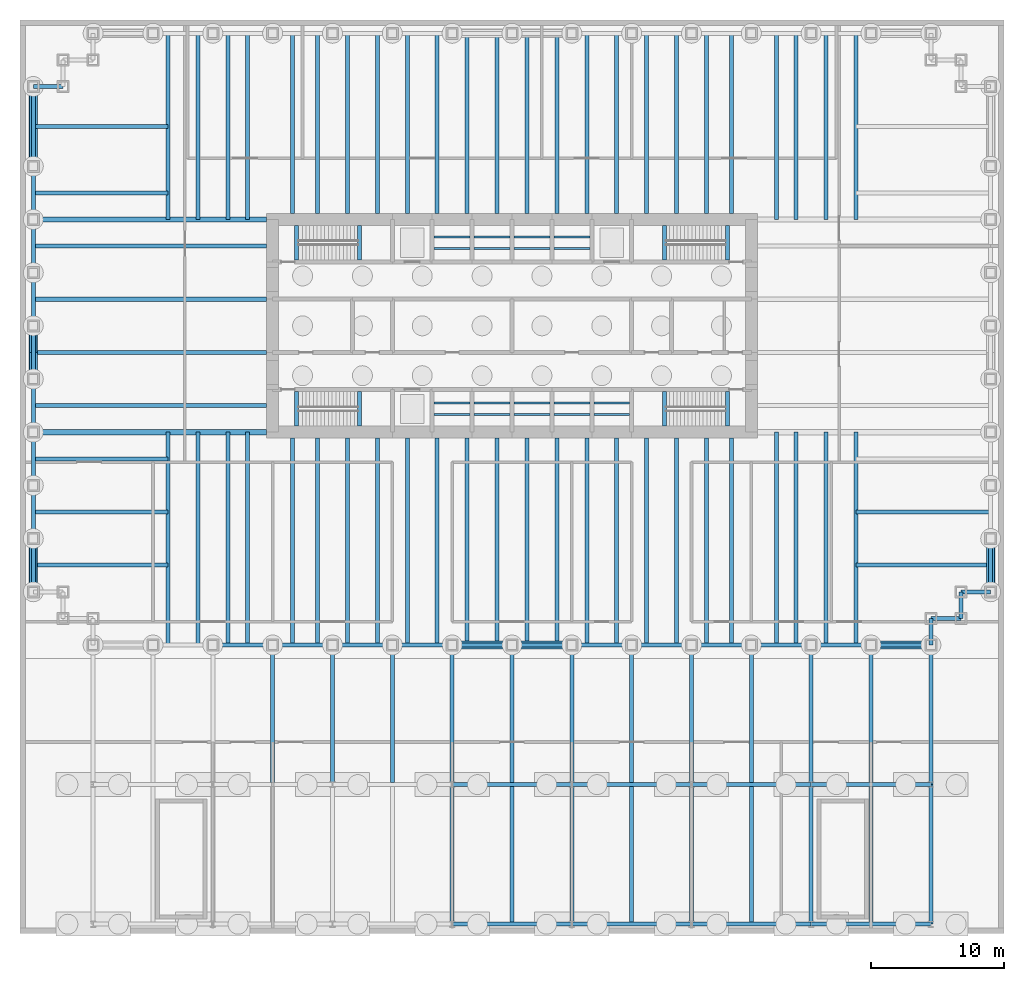
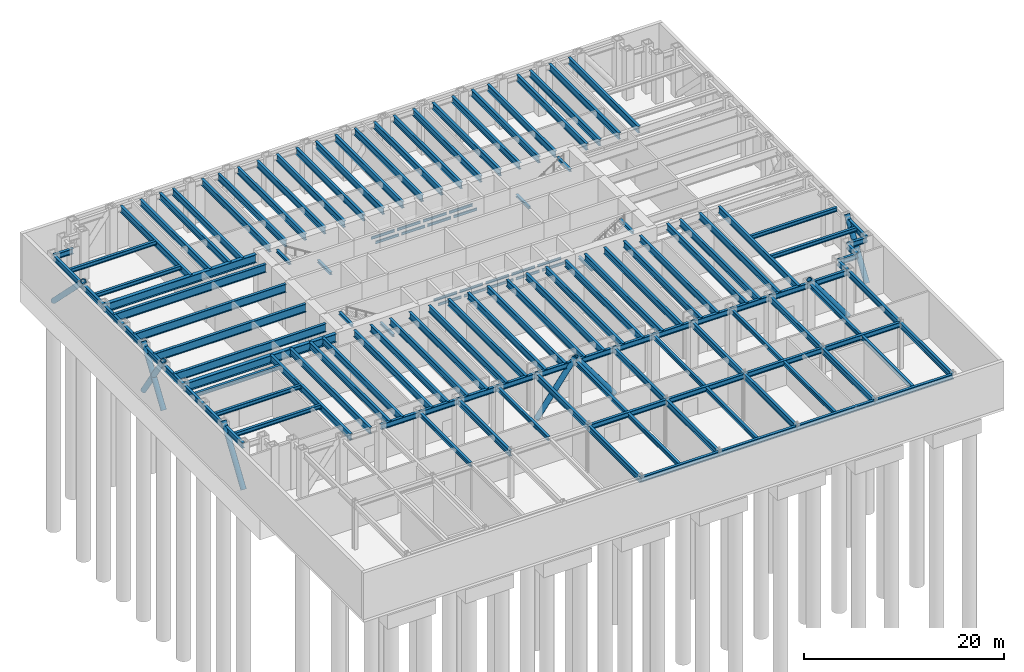
# One storey, part 2 of 9: 143 beams, 8 members.
"""IFC4 building model written with IfcOpenShell, lengths in metres."""

from ifc_helpers import new_model, si_unit, direction, frame, origin, origin_2d, place, context, subcontext, project, spatial, hollow_circle, i_section, extrude, material, material_profile, profile_set, type_object, element, save


model = new_model("IFC4")

# Units and contexts
model_context = context("Model", 3, precision=1e-05, world=origin(), true_north=direction((0.0, 1.0)))
body_context = subcontext(model_context, "Body", "Model", "MODEL_VIEW")
ifc_project = project(units=[si_unit("LENGTHUNIT", "METRE"), si_unit("AREAUNIT", "SQUARE_METRE"), si_unit("VOLUMEUNIT", "CUBIC_METRE"), si_unit("PLANEANGLEUNIT", "RADIAN"), si_unit("MASSUNIT", "GRAM", prefix="KILO")], contexts=[model_context])

# Site, building, storey
site_placement = place(None, origin())
site = spatial("IfcSite", under=ifc_project, at=site_placement, CompositionType="ELEMENT")
building_placement = place(site_placement, origin())
building = spatial("IfcBuilding", under=site, at=building_placement, Name="Rheinbord Bourse Tower", CompositionType="ELEMENT")
storey_placement = place(building_placement, frame((0.0, 0.0, -6.0)))
storey = spatial("IfcBuildingStorey", under=building, at=storey_placement, Name="B1", CompositionType="ELEMENT", Elevation=-6.0)

# Beams
ifc_material_1 = material(Name="Steel S460", Category="steel")
ifc_material_profile_1 = material_profile(ifc_material_1, i_section(OverallWidth=0.302001953125, OverallDepth=1.008056640625, WebThickness=0.02099609375, FlangeThickness=0.0400390625, at=origin_2d()), Name="HEM 1000")
ifc_profile_set_1 = profile_set([ifc_material_profile_1], Name="Steel S460")
beam_type_1 = type_object("IfcBeamType", Name="END BEAM HEM 1000", PredefinedType="BEAM", material=ifc_profile_set_1)
for number, where, z_axis, x_axis, name in (
    (1, (0.0, 18.0, 5.196044921875), (1.0, 0.0, 0.0), (0.0, 1.0, 0.0), "End beam west 18 L00"),
    (2, (0.0, 22.0, 5.196044921875), (1.0, 0.0, 0.0), (0.0, 1.0, 0.0), "End beam west 22 L00"),
    (3, (0.0, 26.0, 5.196044921875), (1.0, 0.0, 0.0), (0.0, 1.0, 0.0), "End beam west 26 L00"),
    (4, (0.0, 30.0, 5.196044921875), (1.0, 0.0, 0.0), (0.0, 1.0, 0.0), "End beam west 30 L00"),
):
    element("IfcBeam", number, at=place(storey_placement, frame(where, z_axis=z_axis, x_axis=x_axis)), inside=storey, type_object=beam_type_1, Name=name, PredefinedType="BEAM", context=body_context, shape_type="SweptSolid", body=[
        extrude(i_section(OverallWidth=0.302001953125, OverallDepth=1.008056640625, WebThickness=0.02099609375, FlangeThickness=0.0400390625, at=origin_2d()), origin(), (0.0, 0.0, 1.0), 17.550048828125),
    ])
ifc_material_2 = material(Name="Steel S460", Category="steel")
ifc_material_profile_2 = material_profile(ifc_material_2, i_section(OverallWidth=0.300048828125, OverallDepth=0.800048828125, WebThickness=0.017578125, FlangeThickness=0.032958984375, at=origin_2d()), Name="HEB 800")
ifc_profile_set_2 = profile_set([ifc_material_profile_2], Name="Steel S460")
beam_type_2 = type_object("IfcBeamType", Name="FLOOR BEAM HEB 800", PredefinedType="BEAM", material=ifc_profile_set_2)
for number, where, z_axis, x_axis, name in (
    (5, (10.125, 0.0, 5.300048828125), (0.0, 1.0, 0.0), (-1.0, 0.0, 0.0), "Floor beam S-9a L00"),
    (6, (12.375, 0.0, 5.300048828125), (0.0, 1.0, 0.0), (-1.0, 0.0, 0.0), "Floor beam S-9b L00"),
    (7, (14.625, 0.0, 5.300048828125), (0.0, 1.0, 0.0), (-1.0, 0.0, 0.0), "Floor beam S-13.5a L00"),
    (8, (16.125, 0.0, 5.300048828125), (0.0, 1.0, 0.0), (-1.0, 0.0, 0.0), "Floor beam S-13.5b L00"),
):
    element("IfcBeam", number, at=place(storey_placement, frame(where, z_axis=z_axis, x_axis=x_axis)), inside=storey, type_object=beam_type_2, Name=name, PredefinedType="BEAM", context=body_context, shape_type="SweptSolid", body=[
        extrude(i_section(OverallWidth=0.300048828125, OverallDepth=0.800048828125, WebThickness=0.017578125, FlangeThickness=0.032958984375, at=origin_2d()), origin(), (0.0, 0.0, 1.0), 16.0),
    ])
for number, where, z_axis, x_axis, name in (
    (9, (19.5, 0.0, 5.300048828125), (0.0, 1.0, 0.0), (-1.0, 0.0, 0.0), "Floor beam S-18a L00"),
    (10, (21.375, 0.0, 5.300048828125), (0.0, 1.0, 0.0), (-1.0, 0.0, 0.0), "Floor beam S-18b L00"),
    (11, (23.625, 0.0, 5.300048828125), (0.0, 1.0, 0.0), (-1.0, 0.0, 0.0), "Floor beam S-22.5a L00"),
    (12, (25.875, 0.0, 5.300048828125), (0.0, 1.0, 0.0), (-1.0, 0.0, 0.0), "Floor beam S-22.5b L00"),
    (13, (28.125, 0.0, 5.300048828125), (0.0, 1.0, 0.0), (-1.0, 0.0, 0.0), "Floor beam S-27a L00"),
    (14, (30.375, 0.0, 5.300048828125), (0.0, 1.0, 0.0), (-1.0, 0.0, 0.0), "Floor beam S-27b L00"),
    (15, (32.625, 0.0, 5.300048828125), (0.0, 1.0, 0.0), (-1.0, 0.0, 0.0), "Floor beam S-31.5a L00"),
    (16, (34.875, 0.0, 5.300048828125), (0.0, 1.0, 0.0), (-1.0, 0.0, 0.0), "Floor beam S-31.5b L00"),
    (17, (37.125, 0.0, 5.300048828125), (0.0, 1.0, 0.0), (-1.0, 0.0, 0.0), "Floor beam S-36a L00"),
    (18, (39.375, 0.0, 5.300048828125), (0.0, 1.0, 0.0), (-1.0, 0.0, 0.0), "Floor beam S-36b L00"),
    (19, (41.625, 0.0, 5.300048828125), (0.0, 1.0, 0.0), (-1.0, 0.0, 0.0), "Floor beam S-40.5a L00"),
    (20, (43.875, 0.0, 5.300048828125), (0.0, 1.0, 0.0), (-1.0, 0.0, 0.0), "Floor beam S-40.5b L00"),
    (21, (46.125, 0.0, 5.300048828125), (0.0, 1.0, 0.0), (-1.0, 0.0, 0.0), "Floor beam S-45a L00"),
    (22, (48.375, 0.0, 5.300048828125), (0.0, 1.0, 0.0), (-1.0, 0.0, 0.0), "Floor beam S-45b L00"),
    (23, (50.625, 0.0, 5.300048828125), (0.0, 1.0, 0.0), (-1.0, 0.0, 0.0), "Floor beam S-49.5a L00"),
    (24, (52.5, 0.0, 5.300048828125), (0.0, 1.0, 0.0), (-1.0, 0.0, 0.0), "Floor beam S-49.5b L00"),
):
    element("IfcBeam", number, at=place(storey_placement, frame(where, z_axis=z_axis, x_axis=x_axis)), inside=storey, type_object=beam_type_2, Name=name, PredefinedType="BEAM", context=body_context, shape_type="SweptSolid", body=[
        extrude(i_section(OverallWidth=0.300048828125, OverallDepth=0.800048828125, WebThickness=0.017578125, FlangeThickness=0.032958984375, at=origin_2d()), origin(), (0.0, 0.0, 1.0), 15.550048828125),
    ])
for number, where, z_axis, x_axis, name in (
    (25, (55.875, 0.0, 5.300048828125), (0.0, 1.0, 0.0), (-1.0, 0.0, 0.0), "Floor beam S-54a L00"),
    (26, (57.375, 0.0, 5.300048828125), (0.0, 1.0, 0.0), (-1.0, 0.0, 0.0), "Floor beam S-54b L00"),
    (27, (59.625, 0.0, 5.300048828125), (0.0, 1.0, 0.0), (-1.0, 0.0, 0.0), "Floor beam S-58.5a L00"),
    (28, (61.875, 0.0, 5.300048828125), (0.0, 1.0, 0.0), (-1.0, 0.0, 0.0), "Floor beam S-58.5b L00"),
):
    element("IfcBeam", number, at=place(storey_placement, frame(where, z_axis=z_axis, x_axis=x_axis)), inside=storey, type_object=beam_type_2, Name=name, PredefinedType="BEAM", context=body_context, shape_type="SweptSolid", body=[
        extrude(i_section(OverallWidth=0.300048828125, OverallDepth=0.800048828125, WebThickness=0.017578125, FlangeThickness=0.032958984375, at=origin_2d()), origin(), (0.0, 0.0, 1.0), 16.0),
    ])
for number, where, z_axis, x_axis, name in (
    (29, (10.125, 46.0, 5.300048828125), (0.0, -1.0, 0.0), (1.0, 0.0, 0.0), "Floor beam N-9a L00"),
    (30, (12.375, 46.0, 5.300048828125), (0.0, -1.0, 0.0), (1.0, 0.0, 0.0), "Floor beam N-9b L00"),
    (31, (14.625, 46.0, 5.300048828125), (0.0, -1.0, 0.0), (1.0, 0.0, 0.0), "Floor beam N-13.5a L00"),
    (32, (16.125, 46.0, 5.300048828125), (0.0, -1.0, 0.0), (1.0, 0.0, 0.0), "Floor beam N-13.5b L00"),
):
    element("IfcBeam", number, at=place(storey_placement, frame(where, z_axis=z_axis, x_axis=x_axis)), inside=storey, type_object=beam_type_2, Name=name, PredefinedType="BEAM", context=body_context, shape_type="SweptSolid", body=[
        extrude(i_section(OverallWidth=0.300048828125, OverallDepth=0.800048828125, WebThickness=0.017578125, FlangeThickness=0.032958984375, at=origin_2d()), origin(), (0.0, 0.0, 1.0), 14.0),
    ])
for number, where, z_axis, x_axis, name in (
    (33, (19.5, 46.0, 5.300048828125), (0.0, -1.0, 0.0), (1.0, 0.0, 0.0), "Floor beam N-18a L00"),
    (34, (21.375, 46.0, 5.300048828125), (0.0, -1.0, 0.0), (1.0, 0.0, 0.0), "Floor beam N-18b L00"),
    (35, (23.625, 46.0, 5.300048828125), (0.0, -1.0, 0.0), (1.0, 0.0, 0.0), "Floor beam N-22.5a L00"),
    (36, (25.875, 46.0, 5.300048828125), (0.0, -1.0, 0.0), (1.0, 0.0, 0.0), "Floor beam N-22.5b L00"),
    (37, (28.125, 46.0, 5.300048828125), (0.0, -1.0, 0.0), (1.0, 0.0, 0.0), "Floor beam N-27a L00"),
    (38, (30.375, 46.0, 5.300048828125), (0.0, -1.0, 0.0), (1.0, 0.0, 0.0), "Floor beam N-27b L00"),
    (39, (32.625, 46.0, 5.300048828125), (0.0, -1.0, 0.0), (1.0, 0.0, 0.0), "Floor beam N-31.5a L00"),
    (40, (34.875, 46.0, 5.300048828125), (0.0, -1.0, 0.0), (1.0, 0.0, 0.0), "Floor beam N-31.5b L00"),
    (41, (37.125, 46.0, 5.300048828125), (0.0, -1.0, 0.0), (1.0, 0.0, 0.0), "Floor beam N-36a L00"),
    (42, (39.375, 46.0, 5.300048828125), (0.0, -1.0, 0.0), (1.0, 0.0, 0.0), "Floor beam N-36b L00"),
    (43, (41.625, 46.0, 5.300048828125), (0.0, -1.0, 0.0), (1.0, 0.0, 0.0), "Floor beam N-40.5a L00"),
    (44, (43.875, 46.0, 5.300048828125), (0.0, -1.0, 0.0), (1.0, 0.0, 0.0), "Floor beam N-40.5b L00"),
    (45, (46.125, 46.0, 5.300048828125), (0.0, -1.0, 0.0), (1.0, 0.0, 0.0), "Floor beam N-45a L00"),
    (46, (48.375, 46.0, 5.300048828125), (0.0, -1.0, 0.0), (1.0, 0.0, 0.0), "Floor beam N-45b L00"),
    (47, (50.625, 46.0, 5.300048828125), (0.0, -1.0, 0.0), (1.0, 0.0, 0.0), "Floor beam N-49.5a L00"),
    (48, (52.5, 46.0, 5.300048828125), (0.0, -1.0, 0.0), (1.0, 0.0, 0.0), "Floor beam N-49.5b L00"),
):
    element("IfcBeam", number, at=place(storey_placement, frame(where, z_axis=z_axis, x_axis=x_axis)), inside=storey, type_object=beam_type_2, Name=name, PredefinedType="BEAM", context=body_context, shape_type="SweptSolid", body=[
        extrude(i_section(OverallWidth=0.300048828125, OverallDepth=0.800048828125, WebThickness=0.017578125, FlangeThickness=0.032958984375, at=origin_2d()), origin(), (0.0, 0.0, 1.0), 13.550048828125),
    ])
for number, where, z_axis, x_axis, name in (
    (49, (55.875, 46.0, 5.300048828125), (0.0, -1.0, 0.0), (1.0, 0.0, 0.0), "Floor beam N-54a L00"),
    (50, (57.375, 46.0, 5.300048828125), (0.0, -1.0, 0.0), (1.0, 0.0, 0.0), "Floor beam N-54b L00"),
    (51, (59.625, 46.0, 5.300048828125), (0.0, -1.0, 0.0), (1.0, 0.0, 0.0), "Floor beam N-58.5a L00"),
    (52, (61.875, 46.0, 5.300048828125), (0.0, -1.0, 0.0), (1.0, 0.0, 0.0), "Floor beam N-58.5b L00"),
):
    element("IfcBeam", number, at=place(storey_placement, frame(where, z_axis=z_axis, x_axis=x_axis)), inside=storey, type_object=beam_type_2, Name=name, PredefinedType="BEAM", context=body_context, shape_type="SweptSolid", body=[
        extrude(i_section(OverallWidth=0.300048828125, OverallDepth=0.800048828125, WebThickness=0.017578125, FlangeThickness=0.032958984375, at=origin_2d()), origin(), (0.0, 0.0, 1.0), 14.0),
    ])
ifc_material_3 = material(Name="Steel S460", Category="steel")
ifc_material_profile_3 = material_profile(ifc_material_3, i_section(OverallWidth=0.404052734375, OverallDepth=1.02001953125, WebThickness=0.025390625, FlangeThickness=0.0458984375, at=origin_2d()), Name="HL 1000 x 483")
ifc_profile_set_3 = profile_set([ifc_material_profile_3], Name="Steel S460")
beam_type_3 = type_object("IfcBeamType", Name="GIRDER HL 1000 x 483", PredefinedType="BEAM", material=ifc_profile_set_3)
for number, where, z_axis, x_axis, name in (
    (53, (0.0, 16.0, 5.18994140625), (1.0, 0.0, 0.0), (0.0, 1.0, 0.0), "Girder west 16 L00"),
    (54, (0.0, 32.0, 5.18994140625), (1.0, 0.0, 0.0), (0.0, 1.0, 0.0), "Girder west 32 L00"),
):
    element("IfcBeam", number, at=place(storey_placement, frame(where, z_axis=z_axis, x_axis=x_axis)), inside=storey, type_object=beam_type_3, Name=name, PredefinedType="BEAM", context=body_context, shape_type="SweptSolid", body=[
        extrude(i_section(OverallWidth=0.404052734375, OverallDepth=1.02001953125, WebThickness=0.025390625, FlangeThickness=0.0458984375, at=origin_2d()), origin(), (0.0, 0.0, 1.0), 17.550048828125),
    ])
ifc_material_4 = material(Name="Steel S460", Category="steel")
ifc_material_profile_4 = material_profile(ifc_material_4, i_section(OverallWidth=0.300048828125, OverallDepth=0.300048828125, WebThickness=0.010986328125, FlangeThickness=0.01904296875, at=origin_2d()), Name="HEB 300")
ifc_profile_set_4 = profile_set([ifc_material_profile_4], Name="Steel S460")
beam_type_4 = type_object("IfcBeamType", Name="LANDING TRIMMER HEB 300", PredefinedType="BEAM", material=ifc_profile_set_4)
for number, where, z_axis, x_axis, name in (
    (55, (24.530029296875, 16.449951171875, 2.64990234375), (0.0, 1.0, 0.0), (-1.0, 0.0, 0.0), "Landing trimmer ST1 B1"),
    (56, (19.800048828125, 16.449951171875, 5.550048828125), (0.0, 1.0, 0.0), (-1.0, 0.0, 0.0), "Well trimmer ST1 under L00"),
    (57, (24.530029296875, 28.949951171875, 2.64990234375), (0.0, 1.0, 0.0), (-1.0, 0.0, 0.0), "Landing trimmer ST2 B1"),
    (58, (19.800048828125, 28.949951171875, 5.550048828125), (0.0, 1.0, 0.0), (-1.0, 0.0, 0.0), "Well trimmer ST2 under L00"),
    (59, (47.469970703125, 16.449951171875, 2.64990234375), (0.0, 1.0, 0.0), (-1.0, 0.0, 0.0), "Landing trimmer ST3 B1"),
    (60, (52.199951171875, 16.449951171875, 5.550048828125), (0.0, 1.0, 0.0), (-1.0, 0.0, 0.0), "Well trimmer ST3 under L00"),
    (61, (47.469970703125, 28.949951171875, 2.64990234375), (0.0, 1.0, 0.0), (-1.0, 0.0, 0.0), "Landing trimmer ST4 B1"),
    (62, (52.199951171875, 28.949951171875, 5.550048828125), (0.0, 1.0, 0.0), (-1.0, 0.0, 0.0), "Well trimmer ST4 under L00"),
):
    element("IfcBeam", number, at=place(storey_placement, frame(where, z_axis=z_axis, x_axis=x_axis)), inside=storey, type_object=beam_type_4, Name=name, PredefinedType="BEAM", context=body_context, shape_type="SweptSolid", body=[
        extrude(i_section(OverallWidth=0.300048828125, OverallDepth=0.300048828125, WebThickness=0.010986328125, FlangeThickness=0.01904296875, at=origin_2d()), origin(), (0.0, 0.0, 1.0), 2.60009765625),
    ])

# Members
ifc_material_5 = material(Name="Steel S460", Category="steel")
ifc_material_profile_5 = material_profile(ifc_material_5, hollow_circle(Radius=0.304931640625, WallThickness=0.050048828125, at=origin_2d()), Name="CHS 610x50")
ifc_profile_set_5 = profile_set([ifc_material_profile_5], Name="Steel S460")
member_type = type_object("IfcMemberType", Name="MEGABRACE CHS 610x50", PredefinedType="BRACE", material=ifc_profile_set_5)
for number, where, z_axis, x_axis, name in (
    (63, (67.5, 0.0, 0.0), (-0.6, 0.0, 0.8), (0.0, -1.0, 0.0), "Megabrace S face line b B1"),
    (64, (40.5, 0.0, 0.0), (-0.6, 0.0, 0.8), (0.0, -1.0, 0.0), "Megabrace S face line c B1"),
    (65, (31.5, 0.0, 0.0), (0.6, 0.0, 0.8), (0.0, 1.0, 0.0), "Megabrace S face line d B1"),
):
    element("IfcMember", number, at=place(storey_placement, frame(where, z_axis=z_axis, x_axis=x_axis)), inside=storey, type_object=member_type, Name=name, PredefinedType="BRACE", context=body_context, shape_type="SweptSolid", body=[
        extrude(hollow_circle(Radius=0.304931640625, WallThickness=0.050048828125, at=origin_2d()), origin(), (0.0, 0.0, 1.0), 7.5),
    ])
for number, where, z_axis, x_axis, name in (
    (66, (72.0, 4.0, 0.0), (0.0, 0.554700196225, 0.832050294338), (-1.0, 0.0, 0.0), "Megabrace E face line a B1"),
    (67, (0.0, 4.0, 0.0), (0.0, 0.554700196225, 0.832050294338), (-1.0, 0.0, 0.0), "Megabrace W face line a B1"),
):
    element("IfcMember", number, at=place(storey_placement, frame(where, z_axis=z_axis, x_axis=x_axis)), inside=storey, type_object=member_type, Name=name, PredefinedType="BRACE", context=body_context, shape_type="SweptSolid", body=[
        extrude(hollow_circle(Radius=0.304931640625, WallThickness=0.050048828125, at=origin_2d()), origin(), (0.0, 0.0, 1.0), 7.211181640625),
    ])
member_placement = place(storey_placement, frame((0.0, 42.0, 0.0), z_axis=(0.0, -0.707106781187, 0.707106781187), x_axis=(1.0, 0.0, 0.0)))
element("IfcMember", 68, at=member_placement, inside=storey, type_object=member_type, Name="Megabrace W face line b B1", PredefinedType="BRACE", context=body_context, shape_type="SweptSolid", body=[
    extrude(hollow_circle(Radius=0.304931640625, WallThickness=0.050048828125, at=origin_2d()), origin(), (0.0, 0.0, 1.0), 8.4853515625),
])
for number, where, z_axis, x_axis, name in (
    (69, (0.0, 20.0, 0.0), (0.0, 0.554700196225, 0.832050294338), (-1.0, 0.0, 0.0), "Megabrace W face line c B1"),
    (70, (0.0, 24.0, 0.0), (0.0, -0.554700196225, 0.832050294338), (1.0, 0.0, 0.0), "Megabrace W face line d B1"),
):
    element("IfcMember", number, at=place(storey_placement, frame(where, z_axis=z_axis, x_axis=x_axis)), inside=storey, type_object=member_type, Name=name, PredefinedType="BRACE", context=body_context, shape_type="SweptSolid", body=[
        extrude(hollow_circle(Radius=0.304931640625, WallThickness=0.050048828125, at=origin_2d()), origin(), (0.0, 0.0, 1.0), 7.211181640625),
    ])

# Beams
ifc_material_6 = material(Name="Steel S460", Category="steel")
ifc_material_profile_6 = material_profile(ifc_material_6, i_section(OverallWidth=0.14990234375, OverallDepth=0.300048828125, WebThickness=0.007080078125, FlangeThickness=0.0107421875, at=origin_2d()), Name="IPE 300")
ifc_profile_set_6 = profile_set([ifc_material_profile_6], Name="Steel S460")
beam_type_5 = type_object("IfcBeamType", Name="PIT BEAM IPE 300", PredefinedType="BEAM", material=ifc_profile_set_6)
for number, where, z_axis, x_axis, name in (
    (71, (39.14990234375, 17.31689453125, 3.949951171875), (1.0, 0.0, 0.0), (0.0, 1.0, 0.0), "Pit beam 1 SL1"),
    (72, (39.14990234375, 18.18310546875, 3.949951171875), (1.0, 0.0, 0.0), (0.0, 1.0, 0.0), "Pit beam 2 SL1"),
    (73, (42.14990234375, 17.31689453125, 3.949951171875), (1.0, 0.0, 0.0), (0.0, 1.0, 0.0), "Pit beam 1 SL2"),
    (74, (42.14990234375, 18.18310546875, 3.949951171875), (1.0, 0.0, 0.0), (0.0, 1.0, 0.0), "Pit beam 2 SL2"),
    (75, (36.14990234375, 29.81689453125, 3.949951171875), (1.0, 0.0, 0.0), (0.0, 1.0, 0.0), "Pit beam 1 SL3"),
    (76, (36.14990234375, 30.68310546875, 3.949951171875), (1.0, 0.0, 0.0), (0.0, 1.0, 0.0), "Pit beam 2 SL3"),
    (77, (39.14990234375, 29.81689453125, 3.949951171875), (1.0, 0.0, 0.0), (0.0, 1.0, 0.0), "Pit beam 1 SL4"),
    (78, (39.14990234375, 30.68310546875, 3.949951171875), (1.0, 0.0, 0.0), (0.0, 1.0, 0.0), "Pit beam 2 SL4"),
    (79, (30.14990234375, 17.31689453125, 3.949951171875), (1.0, 0.0, 0.0), (0.0, 1.0, 0.0), "Pit beam 1 PA1"),
    (80, (30.14990234375, 18.18310546875, 3.949951171875), (1.0, 0.0, 0.0), (0.0, 1.0, 0.0), "Pit beam 2 PA1"),
    (81, (33.14990234375, 17.31689453125, 3.949951171875), (1.0, 0.0, 0.0), (0.0, 1.0, 0.0), "Pit beam 1 PA2"),
    (82, (33.14990234375, 18.18310546875, 3.949951171875), (1.0, 0.0, 0.0), (0.0, 1.0, 0.0), "Pit beam 2 PA2"),
    (83, (36.14990234375, 17.31689453125, 3.949951171875), (1.0, 0.0, 0.0), (0.0, 1.0, 0.0), "Pit beam 1 PA3"),
    (84, (36.14990234375, 18.18310546875, 3.949951171875), (1.0, 0.0, 0.0), (0.0, 1.0, 0.0), "Pit beam 2 PA3"),
    (85, (30.14990234375, 29.81689453125, 3.949951171875), (1.0, 0.0, 0.0), (0.0, 1.0, 0.0), "Pit beam 1 PA4"),
    (86, (30.14990234375, 30.68310546875, 3.949951171875), (1.0, 0.0, 0.0), (0.0, 1.0, 0.0), "Pit beam 2 PA4"),
    (87, (33.14990234375, 29.81689453125, 3.949951171875), (1.0, 0.0, 0.0), (0.0, 1.0, 0.0), "Pit beam 1 PA5"),
    (88, (33.14990234375, 30.68310546875, 3.949951171875), (1.0, 0.0, 0.0), (0.0, 1.0, 0.0), "Pit beam 2 PA5"),
):
    element("IfcBeam", number, at=place(storey_placement, frame(where, z_axis=z_axis, x_axis=x_axis)), inside=storey, type_object=beam_type_5, Name=name, PredefinedType="BEAM", context=body_context, shape_type="SweptSolid", body=[
        extrude(i_section(OverallWidth=0.14990234375, OverallDepth=0.300048828125, WebThickness=0.007080078125, FlangeThickness=0.0107421875, at=origin_2d()), origin(), (0.0, 0.0, 1.0), 2.7001953125),
    ])
ifc_material_7 = material(Name="Steel S460", Category="steel")
ifc_material_profile_7 = material_profile(ifc_material_7, i_section(OverallWidth=0.304931640625, OverallDepth=0.6201171875, WebThickness=0.02099609375, FlangeThickness=0.0400390625, at=origin_2d()), Name="HEM 600")
ifc_profile_set_7 = profile_set([ifc_material_profile_7], Name="Steel S460")
beam_type_6 = type_object("IfcBeamType", Name="PODIUM EDGE BEAM HEM 600", PredefinedType="BEAM", material=ifc_profile_set_7)
for number, where, z_axis, x_axis, name in (
    (89, (31.5, -21.0, 5.389892578125), (1.0, 0.0, 0.0), (0.0, 1.0, 0.0), "Podium edge beam 31.5-40.5 L00"),
    (90, (31.5, -10.5, 5.389892578125), (1.0, 0.0, 0.0), (0.0, 1.0, 0.0), "Podium edge beam 31.5-40.5 L00"),
    (91, (40.5, -21.0, 5.389892578125), (1.0, 0.0, 0.0), (0.0, 1.0, 0.0), "Podium edge beam 40.5-49.5 L00"),
    (92, (40.5, -10.5, 5.389892578125), (1.0, 0.0, 0.0), (0.0, 1.0, 0.0), "Podium edge beam 40.5-49.5 L00"),
    (93, (49.5, -21.0, 5.389892578125), (1.0, 0.0, 0.0), (0.0, 1.0, 0.0), "Podium edge beam 49.5-58.5 L00"),
    (94, (49.5, -10.5, 5.389892578125), (1.0, 0.0, 0.0), (0.0, 1.0, 0.0), "Podium edge beam 49.5-58.5 L00"),
    (95, (58.5, -21.0, 5.389892578125), (1.0, 0.0, 0.0), (0.0, 1.0, 0.0), "Podium edge beam 58.5-67.5 L00"),
    (96, (58.5, -10.5, 5.389892578125), (1.0, 0.0, 0.0), (0.0, 1.0, 0.0), "Podium edge beam 58.5-67.5 L00"),
):
    element("IfcBeam", number, at=place(storey_placement, frame(where, z_axis=z_axis, x_axis=x_axis)), inside=storey, type_object=beam_type_6, Name=name, PredefinedType="BEAM", context=body_context, shape_type="SweptSolid", body=[
        extrude(i_section(OverallWidth=0.304931640625, OverallDepth=0.6201171875, WebThickness=0.02099609375, FlangeThickness=0.0400390625, at=origin_2d()), origin(), (0.0, 0.0, 1.0), 9.0),
    ])
ifc_material_8 = material(Name="Steel S460", Category="steel")
ifc_material_profile_8 = material_profile(ifc_material_8, i_section(OverallWidth=0.303955078125, OverallDepth=0.716064453125, WebThickness=0.02099609375, FlangeThickness=0.0400390625, at=origin_2d()), Name="HEM 700")
ifc_profile_set_8 = profile_set([ifc_material_profile_8], Name="Steel S460")
beam_type_7 = type_object("IfcBeamType", Name="PODIUM GIRDER HEM 700", PredefinedType="BEAM", material=ifc_profile_set_8)
for number, where, z_axis, x_axis, name in (
    (97, (22.5, -10.5, 5.342041015625), (0.0, 1.0, 0.0), (-1.0, 0.0, 0.0), "Podium girder 22.5 L00"),
    (98, (31.5, -21.0, 5.342041015625), (0.0, 1.0, 0.0), (-1.0, 0.0, 0.0), "Podium girder 31.5 L00"),
    (99, (31.5, -10.5, 5.342041015625), (0.0, 1.0, 0.0), (-1.0, 0.0, 0.0), "Podium girder 31.5 L00"),
    (100, (40.5, -21.0, 5.342041015625), (0.0, 1.0, 0.0), (-1.0, 0.0, 0.0), "Podium girder 40.5 L00"),
    (101, (40.5, -10.5, 5.342041015625), (0.0, 1.0, 0.0), (-1.0, 0.0, 0.0), "Podium girder 40.5 L00"),
    (102, (49.5, -21.0, 5.342041015625), (0.0, 1.0, 0.0), (-1.0, 0.0, 0.0), "Podium girder 49.5 L00"),
    (103, (49.5, -10.5, 5.342041015625), (0.0, 1.0, 0.0), (-1.0, 0.0, 0.0), "Podium girder 49.5 L00"),
    (104, (58.5, -21.0, 5.342041015625), (0.0, 1.0, 0.0), (-1.0, 0.0, 0.0), "Podium girder 58.5 L00"),
    (105, (58.5, -10.5, 5.342041015625), (0.0, 1.0, 0.0), (-1.0, 0.0, 0.0), "Podium girder 58.5 L00"),
    (106, (67.5, -21.0, 5.342041015625), (0.0, 1.0, 0.0), (-1.0, 0.0, 0.0), "Podium girder 67.5 L00"),
    (107, (67.5, -10.5, 5.342041015625), (0.0, 1.0, 0.0), (-1.0, 0.0, 0.0), "Podium girder 67.5 L00"),
):
    element("IfcBeam", number, at=place(storey_placement, frame(where, z_axis=z_axis, x_axis=x_axis)), inside=storey, type_object=beam_type_7, Name=name, PredefinedType="BEAM", context=body_context, shape_type="SweptSolid", body=[
        extrude(i_section(OverallWidth=0.303955078125, OverallDepth=0.716064453125, WebThickness=0.02099609375, FlangeThickness=0.0400390625, at=origin_2d()), origin(), (0.0, 0.0, 1.0), 10.5),
    ])
ifc_material_9 = material(Name="Steel S460", Category="steel")
ifc_material_profile_9 = material_profile(ifc_material_9, i_section(OverallWidth=0.300048828125, OverallDepth=0.5, WebThickness=0.014404296875, FlangeThickness=0.028076171875, at=origin_2d()), Name="HEB 500")
ifc_profile_set_9 = profile_set([ifc_material_profile_9], Name="Steel S460")
beam_type_8 = type_object("IfcBeamType", Name="PODIUM JOIST HEB 500", PredefinedType="JOIST", material=ifc_profile_set_9)
for number, where, z_axis, x_axis, name in (
    (108, (18.0, -10.347412109375, 5.449951171875), (0.0, 1.0, 0.0), (-1.0, 0.0, 0.0), "Podium joist 18 L00"),
    (109, (27.0, -10.347412109375, 5.449951171875), (0.0, 1.0, 0.0), (-1.0, 0.0, 0.0), "Podium joist 27 L00"),
    (110, (36.0, -21.0, 5.449951171875), (0.0, 1.0, 0.0), (-1.0, 0.0, 0.0), "Podium joist 36 L00"),
    (111, (36.0, -10.347412109375, 5.449951171875), (0.0, 1.0, 0.0), (-1.0, 0.0, 0.0), "Podium joist 36 L00"),
    (112, (45.0, -21.0, 5.449951171875), (0.0, 1.0, 0.0), (-1.0, 0.0, 0.0), "Podium joist 45 L00"),
    (113, (45.0, -10.347412109375, 5.449951171875), (0.0, 1.0, 0.0), (-1.0, 0.0, 0.0), "Podium joist 45 L00"),
    (114, (54.0, -21.0, 5.449951171875), (0.0, 1.0, 0.0), (-1.0, 0.0, 0.0), "Podium joist 54 L00"),
    (115, (54.0, -10.347412109375, 5.449951171875), (0.0, 1.0, 0.0), (-1.0, 0.0, 0.0), "Podium joist 54 L00"),
    (116, (63.0, -21.0, 5.449951171875), (0.0, 1.0, 0.0), (-1.0, 0.0, 0.0), "Podium joist 63 L00"),
    (117, (63.0, -10.347412109375, 5.449951171875), (0.0, 1.0, 0.0), (-1.0, 0.0, 0.0), "Podium joist 63 L00"),
):
    element("IfcBeam", number, at=place(storey_placement, frame(where, z_axis=z_axis, x_axis=x_axis)), inside=storey, type_object=beam_type_8, Name=name, PredefinedType="JOIST", context=body_context, shape_type="SweptSolid", body=[
        extrude(i_section(OverallWidth=0.300048828125, OverallDepth=0.5, WebThickness=0.014404296875, FlangeThickness=0.028076171875, at=origin_2d()), origin(), (0.0, 0.0, 1.0), 10.347412109375),
    ])
ifc_material_10 = material(Name="Steel S460", Category="steel")
ifc_material_profile_10 = material_profile(ifc_material_10, i_section(OverallWidth=0.304931640625, OverallDepth=0.66796875, WebThickness=0.02099609375, FlangeThickness=0.0400390625, at=origin_2d()), Name="HEM 650")
ifc_profile_set_10 = profile_set([ifc_material_profile_10], Name="Steel S460")
beam_type_9 = type_object("IfcBeamType", Name="SPANDREL HEM 650", PredefinedType="SPANDREL", material=ifc_profile_set_10)
for number, where, z_axis, x_axis, name in (
    (118, (13.5, 0.0, 5.365966796875), (1.0, 0.0, 0.0), (0.0, 1.0, 0.0), "Spandrel S-13.5-S-18 under L00"),
    (119, (18.0, 0.0, 5.365966796875), (1.0, 0.0, 0.0), (0.0, 1.0, 0.0), "Spandrel S-18-S-22.5 under L00"),
    (120, (22.5, 0.0, 5.365966796875), (1.0, 0.0, 0.0), (0.0, 1.0, 0.0), "Spandrel S-22.5-S-27 under L00"),
    (121, (27.0, 0.0, 5.365966796875), (1.0, 0.0, 0.0), (0.0, 1.0, 0.0), "Spandrel S-27-S-31.5 under L00"),
    (122, (31.5, 0.0, 5.365966796875), (1.0, 0.0, 0.0), (0.0, 1.0, 0.0), "Spandrel S-31.5-S-36 under L00"),
    (123, (36.0, 0.0, 5.365966796875), (1.0, 0.0, 0.0), (0.0, 1.0, 0.0), "Spandrel S-36-S-40.5 under L00"),
    (124, (40.5, 0.0, 5.365966796875), (1.0, 0.0, 0.0), (0.0, 1.0, 0.0), "Spandrel S-40.5-S-45 under L00"),
    (125, (45.0, 0.0, 5.365966796875), (1.0, 0.0, 0.0), (0.0, 1.0, 0.0), "Spandrel S-45-S-49.5 under L00"),
    (126, (49.5, 0.0, 5.365966796875), (1.0, 0.0, 0.0), (0.0, 1.0, 0.0), "Spandrel S-49.5-S-54 under L00"),
    (127, (54.0, 0.0, 5.365966796875), (1.0, 0.0, 0.0), (0.0, 1.0, 0.0), "Spandrel S-54-S-58.5 under L00"),
    (128, (58.5, 0.0, 5.365966796875), (1.0, 0.0, 0.0), (0.0, 1.0, 0.0), "Spandrel S-58.5-S-63 under L00"),
    (129, (63.0, 0.0, 5.365966796875), (1.0, 0.0, 0.0), (0.0, 1.0, 0.0), "Spandrel S-63-SE-E under L00"),
):
    element("IfcBeam", number, at=place(storey_placement, frame(where, z_axis=z_axis, x_axis=x_axis)), inside=storey, type_object=beam_type_9, Name=name, PredefinedType="SPANDREL", context=body_context, shape_type="SweptSolid", body=[
        extrude(i_section(OverallWidth=0.304931640625, OverallDepth=0.66796875, WebThickness=0.02099609375, FlangeThickness=0.0400390625, at=origin_2d()), origin(), (0.0, 0.0, 1.0), 4.5),
    ])
beam_1_placement = place(storey_placement, frame((67.5, 0.0, 5.365966796875), z_axis=(0.0, 1.0, 0.0), x_axis=(-1.0, 0.0, 0.0)))
element("IfcBeam", 130, at=beam_1_placement, inside=storey, type_object=beam_type_9, Name="Spandrel SE-E-SE-D under L00", PredefinedType="SPANDREL", context=body_context, shape_type="SweptSolid", body=[
    extrude(i_section(OverallWidth=0.304931640625, OverallDepth=0.66796875, WebThickness=0.02099609375, FlangeThickness=0.0400390625, at=origin_2d()), origin(), (0.0, 0.0, 1.0), 2.0),
])
beam_2_placement = place(storey_placement, frame((67.5, 2.0, 5.365966796875), z_axis=(1.0, 0.0, 0.0), x_axis=(0.0, 1.0, 0.0)))
element("IfcBeam", 131, at=beam_2_placement, inside=storey, type_object=beam_type_9, Name="Spandrel SE-D-SE-C under L00", PredefinedType="SPANDREL", context=body_context, shape_type="SweptSolid", body=[
    extrude(i_section(OverallWidth=0.304931640625, OverallDepth=0.66796875, WebThickness=0.02099609375, FlangeThickness=0.0400390625, at=origin_2d()), origin(), (0.0, 0.0, 1.0), 2.25),
])
beam_3_placement = place(storey_placement, frame((69.75, 2.0, 5.365966796875), z_axis=(0.0, 1.0, 0.0), x_axis=(-1.0, 0.0, 0.0)))
element("IfcBeam", 132, at=beam_3_placement, inside=storey, type_object=beam_type_9, Name="Spandrel SE-C-SE-B under L00", PredefinedType="SPANDREL", context=body_context, shape_type="SweptSolid", body=[
    extrude(i_section(OverallWidth=0.304931640625, OverallDepth=0.66796875, WebThickness=0.02099609375, FlangeThickness=0.0400390625, at=origin_2d()), origin(), (0.0, 0.0, 1.0), 2.0),
])
beam_4_placement = place(storey_placement, frame((69.75, 4.0, 5.365966796875), z_axis=(1.0, 0.0, 0.0), x_axis=(0.0, 1.0, 0.0)))
element("IfcBeam", 133, at=beam_4_placement, inside=storey, type_object=beam_type_9, Name="Spandrel SE-B-SE-A under L00", PredefinedType="SPANDREL", context=body_context, shape_type="SweptSolid", body=[
    extrude(i_section(OverallWidth=0.304931640625, OverallDepth=0.66796875, WebThickness=0.02099609375, FlangeThickness=0.0400390625, at=origin_2d()), origin(), (0.0, 0.0, 1.0), 2.25),
])
beam_5_placement = place(storey_placement, frame((72.0, 4.0, 5.365966796875), z_axis=(0.0, 1.0, 0.0), x_axis=(-1.0, 0.0, 0.0)))
element("IfcBeam", 134, at=beam_5_placement, inside=storey, type_object=beam_type_9, Name="Spandrel SE-A-E-8 under L00", PredefinedType="SPANDREL", context=body_context, shape_type="SweptSolid", body=[
    extrude(i_section(OverallWidth=0.304931640625, OverallDepth=0.66796875, WebThickness=0.02099609375, FlangeThickness=0.0400390625, at=origin_2d()), origin(), (0.0, 0.0, 1.0), 4.0),
])
beam_6_placement = place(storey_placement, frame((2.25, 42.0, 5.365966796875), z_axis=(-1.0, 0.0, 0.0), x_axis=(0.0, -1.0, 0.0)))
element("IfcBeam", 135, at=beam_6_placement, inside=storey, type_object=beam_type_9, Name="Spandrel NW-B-NW-A under L00", PredefinedType="SPANDREL", context=body_context, shape_type="SweptSolid", body=[
    extrude(i_section(OverallWidth=0.304931640625, OverallDepth=0.66796875, WebThickness=0.02099609375, FlangeThickness=0.0400390625, at=origin_2d()), origin(), (0.0, 0.0, 1.0), 2.25),
])
beam_7_placement = place(storey_placement, frame((0.0, 42.0, 5.365966796875), z_axis=(0.0, -1.0, 0.0), x_axis=(1.0, 0.0, 0.0)))
element("IfcBeam", 136, at=beam_7_placement, inside=storey, type_object=beam_type_9, Name="Spandrel NW-A-W-36 under L00", PredefinedType="SPANDREL", context=body_context, shape_type="SweptSolid", body=[
    extrude(i_section(OverallWidth=0.304931640625, OverallDepth=0.66796875, WebThickness=0.02099609375, FlangeThickness=0.0400390625, at=origin_2d()), origin(), (0.0, 0.0, 1.0), 6.0),
])
for number, where, z_axis, x_axis, name in (
    (137, (0.0, 36.0, 5.365966796875), (0.0, -1.0, 0.0), (1.0, 0.0, 0.0), "Spandrel W-36-W-32 under L00"),
    (138, (0.0, 32.0, 5.365966796875), (0.0, -1.0, 0.0), (1.0, 0.0, 0.0), "Spandrel W-32-W-28 under L00"),
    (139, (0.0, 28.0, 5.365966796875), (0.0, -1.0, 0.0), (1.0, 0.0, 0.0), "Spandrel W-28-W-24 under L00"),
    (140, (0.0, 24.0, 5.365966796875), (0.0, -1.0, 0.0), (1.0, 0.0, 0.0), "Spandrel W-24-W-20 under L00"),
    (141, (0.0, 20.0, 5.365966796875), (0.0, -1.0, 0.0), (1.0, 0.0, 0.0), "Spandrel W-20-W-16 under L00"),
    (142, (0.0, 16.0, 5.365966796875), (0.0, -1.0, 0.0), (1.0, 0.0, 0.0), "Spandrel W-16-W-12 under L00"),
    (143, (0.0, 12.0, 5.365966796875), (0.0, -1.0, 0.0), (1.0, 0.0, 0.0), "Spandrel W-12-W-8 under L00"),
    (144, (0.0, 8.0, 5.365966796875), (0.0, -1.0, 0.0), (1.0, 0.0, 0.0), "Spandrel W-8-SW-A under L00"),
):
    element("IfcBeam", number, at=place(storey_placement, frame(where, z_axis=z_axis, x_axis=x_axis)), inside=storey, type_object=beam_type_9, Name=name, PredefinedType="SPANDREL", context=body_context, shape_type="SweptSolid", body=[
        extrude(i_section(OverallWidth=0.304931640625, OverallDepth=0.66796875, WebThickness=0.02099609375, FlangeThickness=0.0400390625, at=origin_2d()), origin(), (0.0, 0.0, 1.0), 4.0),
    ])
ifc_material_11 = material(Name="Steel S460", Category="steel")
ifc_material_profile_11 = material_profile(ifc_material_11, i_section(OverallWidth=0.300048828125, OverallDepth=0.5, WebThickness=0.014404296875, FlangeThickness=0.028076171875, at=origin_2d()), Name="HEB 500")
ifc_profile_set_11 = profile_set([ifc_material_profile_11], Name="Steel S460")
beam_type_10 = type_object("IfcBeamType", Name="TIE BEAM HEB 500", PredefinedType="JOIST", material=ifc_profile_set_11)
for number, where, z_axis, x_axis, name in (
    (145, (0.0, 6.0, 5.449951171875), (1.0, 0.0, 0.0), (0.0, 1.0, 0.0), "Tie west 6 L00"),
    (146, (61.875, 6.0, 5.449951171875), (1.0, 0.0, 0.0), (0.0, 1.0, 0.0), "Tie east 6 L00"),
    (147, (0.0, 10.0, 5.449951171875), (1.0, 0.0, 0.0), (0.0, 1.0, 0.0), "Tie west 10 L00"),
    (148, (61.875, 10.0, 5.449951171875), (1.0, 0.0, 0.0), (0.0, 1.0, 0.0), "Tie east 10 L00"),
    (149, (0.0, 14.0, 5.449951171875), (1.0, 0.0, 0.0), (0.0, 1.0, 0.0), "Tie west 14 L00"),
    (150, (0.0, 34.0, 5.449951171875), (1.0, 0.0, 0.0), (0.0, 1.0, 0.0), "Tie west 34 L00"),
    (151, (0.0, 39.0, 5.449951171875), (1.0, 0.0, 0.0), (0.0, 1.0, 0.0), "Tie west 39 L00"),
):
    element("IfcBeam", number, at=place(storey_placement, frame(where, z_axis=z_axis, x_axis=x_axis)), inside=storey, type_object=beam_type_10, Name=name, PredefinedType="JOIST", context=body_context, shape_type="SweptSolid", body=[
        extrude(i_section(OverallWidth=0.300048828125, OverallDepth=0.5, WebThickness=0.014404296875, FlangeThickness=0.028076171875, at=origin_2d()), origin(), (0.0, 0.0, 1.0), 10.125),
    ])

save(model, "model.ifc")
